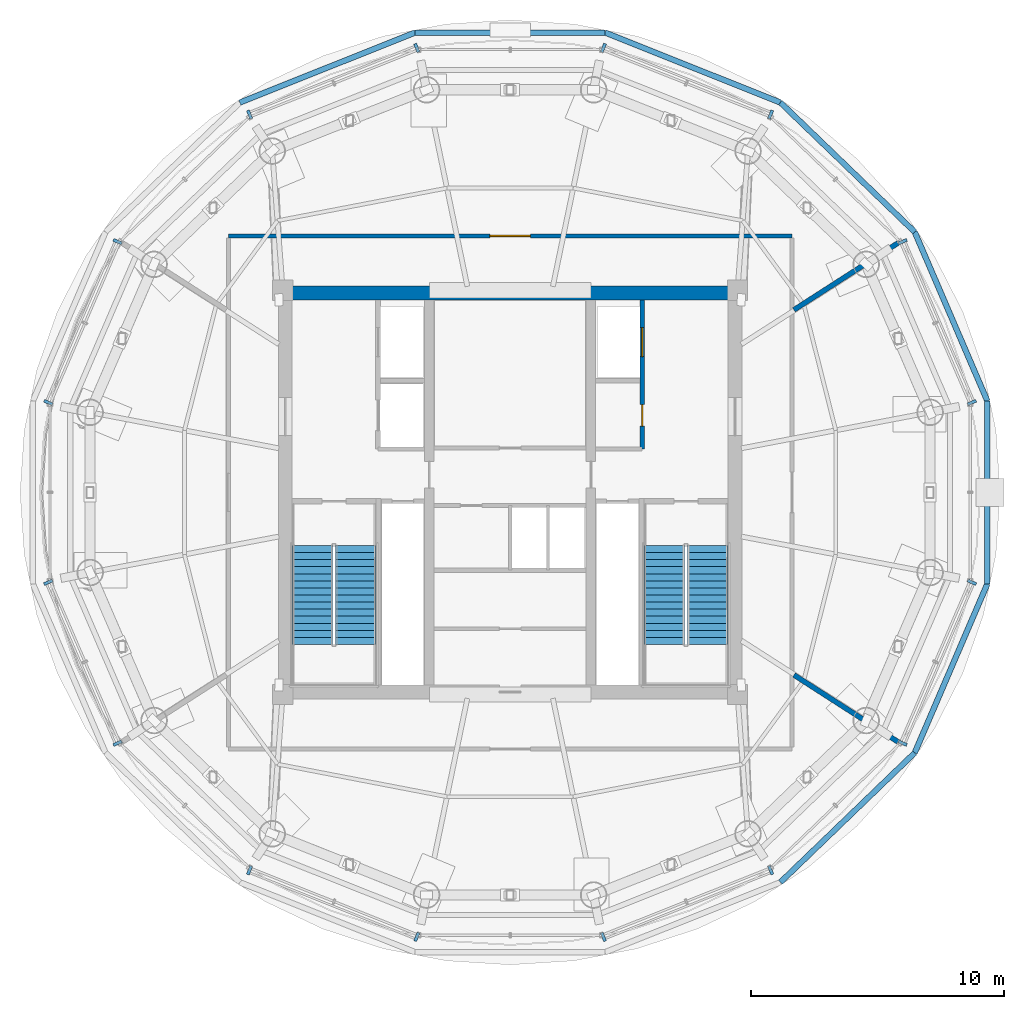
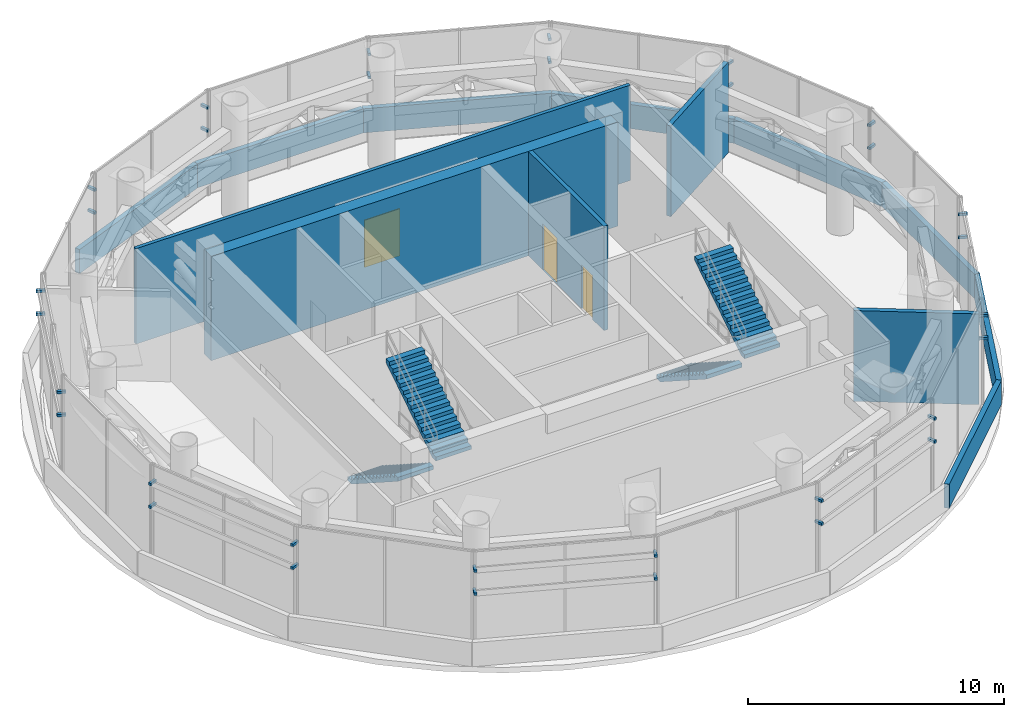
# One storey, part 18 of 21: 32 discrete accessories, 13 walls, 4 stair flights, 3 doors, 3 openings, 2 elements without a shape of their own.
"""IFC4 building model written with IfcOpenShell, lengths in metres."""

from ifc_helpers import new_model, si_unit, direction, frame, frame_2d, origin, origin_2d, place, context, subcontext, project, spatial, polyline, rectangle, outline, extrude, source, transform, mapped, material, layer, layer_set, type_object, element, fill, aggregate, save


model = new_model("IFC4")

# Units and contexts
model_context = context("Model", 3, precision=1e-05, world=origin(), true_north=direction((-0.2419218956, 0.970295726276)))
body_context = subcontext(model_context, "Body", "Model", "MODEL_VIEW")
ifc_project = project(units=[si_unit("LENGTHUNIT", "METRE"), si_unit("AREAUNIT", "SQUARE_METRE"), si_unit("VOLUMEUNIT", "CUBIC_METRE"), si_unit("PLANEANGLEUNIT", "RADIAN"), si_unit("MASSUNIT", "GRAM", prefix="KILO")], contexts=[model_context])

# Site, building, storey
site_placement = place(None, origin())
site = spatial("IfcSite", under=ifc_project, at=site_placement, CompositionType="ELEMENT")
building_placement = place(site_placement, origin())
building = spatial("IfcBuilding", under=site, at=building_placement, Name="Cobrevalo Terracotta Tower", CompositionType="ELEMENT")
storey_placement = place(building_placement, frame((0.0, 0.0, 300.699951171875)))
storey = spatial("IfcBuildingStorey", under=building, at=storey_placement, Name="L79", CompositionType="ELEMENT", Elevation=300.699951171875)

# Wall
ifc_material_1 = material(Name="Concrete C50", Category="concrete")
ifc_layer_1 = layer(ifc_material_1, 0.550048828125)
ifc_layer_set_1 = layer_set([ifc_layer_1], Name="Concrete C50")
wall_type_1 = type_object("IfcWallType", Name="Core shear wall 550 mm Concrete C50", PredefinedType="SHEAR", material=ifc_layer_set_1)
wall_1_placement = place(storey_placement, frame((28.824951171875, 34.699951171875, 0.0), z_axis=(0.0, 0.0, 1.0), x_axis=(1.0, 0.0, 0.0)))
element("IfcWall", 1, at=wall_1_placement, inside=storey, type_object=wall_type_1, Name="L79 north core shear wall", PredefinedType="SHEAR", context=body_context, shape_type="SweptSolid", body=[
    extrude(rectangle(XDim=18.35009765625, YDim=0.550048828125, at=frame_2d((9.175048828125, 0.0))), origin(), (0.0, 0.0, 1.0), 4.97998046875),
])

# Wall, opening, door
ifc_material_2 = material(Name="Gypsum board on steel stud", Category="steel")
ifc_layer_2 = layer(ifc_material_2, 0.159912109375)
ifc_layer_set_2 = layer_set([ifc_layer_2], Name="Gypsum board on steel stud")
wall_type_2 = type_object("IfcWallType", Name="Fire-rated corridor acoustic partition wall 160 mm", PredefinedType="PARTITIONING", material=ifc_layer_set_2)
wall_2_placement = place(storey_placement, frame((26.844970703125, 36.955078125, 0.0), z_axis=(0.0, 0.0, 1.0), x_axis=(1.0, 0.0, 0.0)))
wall_2 = element("IfcWall", 2, at=wall_2_placement, inside=storey, type_object=wall_type_2, Name="L79 interior partition IW-L79-COR-N", PredefinedType="PARTITIONING", context=body_context, shape_type="SweptSolid", body=[
    extrude(rectangle(XDim=22.31005859375, YDim=0.159912109375, at=frame_2d((11.155029296875, 0.0))), origin(), (0.0, 0.0, 1.0), 4.552001953125),
])
opening_1_placement = place(wall_2_placement, frame((10.35498046875, 0.0, 0.0)))
opening_1 = element("IfcOpeningElement", 3, at=opening_1_placement, cuts=wall_2, Name="Opening ID-06", PredefinedType="OPENING", context=body_context, shape_type="SweptSolid", body=[
    extrude(rectangle(XDim=1.60009765625, YDim=2.25, at=frame_2d((0.800048828125, 1.125))), frame((0.0, 0.08984375, 0.0), z_axis=(0.0, -1.0, 0.0), x_axis=(1.0, 0.0, 0.0)), (0.0, 0.0, 1.0), 0.179931640625),
])
ifc_material_3 = material(Name="Galvanized fire-rated steel", Category="steel")
door_type_1 = type_object("IfcDoorType", Name="Plant & mechanical room double fire door 1600x2250 EI 90", OperationType="NOTDEFINED", PredefinedType="DOOR", material=ifc_material_3)
shared_shape_1 = source(origin(), body_context, "Body", "SweptSolid", [
    extrude(rectangle(XDim=1.60009765625, YDim=2.25, at=frame_2d((0.800048828125, 1.125))), frame((0.0, 0.02490234375, 0.0), z_axis=(0.0, -1.0, 0.0), x_axis=(1.0, 0.0, 0.0)), (0.0, 0.0, 1.0), 0.050048828125),
])
door_1_placement = place(opening_1_placement, origin())
door_1 = element("IfcDoor", 4, at=door_1_placement, inside=storey, type_object=door_type_1, Name="L79 Smoke Control and Electrical Plant North door", OperationType="DOUBLE_DOOR_SINGLE_SWING", OverallHeight=2.25, OverallWidth=1.60009765625, PredefinedType="DOOR", context=body_context, shape_type="MappedRepresentation", body=[
    mapped(shared_shape_1, transform((0.0, 0.0, 0.0), scale=1.0)),
])
fill(opening_1, door_1)

# Wall, openings, doors
ifc_layer_3 = layer(ifc_material_2, 0.179931640625)
ifc_layer_set_3 = layer_set([ifc_layer_3], Name="Gypsum board on steel stud")
wall_type_3 = type_object("IfcWallType", Name="Fire-rated shaft & lobby acoustic partition wall 180 mm", PredefinedType="PARTITIONING", material=ifc_layer_set_3)
wall_3_placement = place(storey_placement, frame((43.22998046875, 28.52001953125, 0.0), z_axis=(0.0, 0.0, 1.0), x_axis=(0.0, 1.0, 0.0)))
wall_3 = element("IfcWall", 5, at=wall_3_placement, inside=storey, type_object=wall_type_3, Name="L79 interior partition IW-L79-FF2-E", PredefinedType="PARTITIONING", context=body_context, shape_type="SweptSolid", body=[
    extrude(rectangle(XDim=5.905029296875, YDim=0.179931640625, at=frame_2d((2.95263671875, 0.0))), origin(), (0.0, 0.0, 1.0), 4.97998046875),
])
opening_2_placement = place(wall_3_placement, frame((0.905029296875, 0.0, 0.0)))
opening_2 = element("IfcOpeningElement", 6, at=opening_2_placement, cuts=wall_3, Name="Opening ID-22", PredefinedType="OPENING", context=body_context, shape_type="SweptSolid", body=[
    extrude(rectangle(XDim=0.85009765625, YDim=2.10009765625, at=frame_2d((0.425048828125, 1.050048828125))), frame((0.0, 0.10009765625, 0.0), z_axis=(0.0, -1.0, 0.0), x_axis=(1.0, 0.0, 0.0)), (0.0, 0.0, 1.0), 0.199951171875),
])
opening_3_placement = place(wall_3_placement, frame((3.655029296875, 0.0, 0.0)))
opening_3 = element("IfcOpeningElement", 7, at=opening_3_placement, cuts=wall_3, Name="Opening LD-02", PredefinedType="OPENING", context=body_context, shape_type="SweptSolid", body=[
    extrude(rectangle(XDim=1.14990234375, YDim=2.199951171875, at=frame_2d((0.574951171875, 1.10009765625))), frame((0.0, 0.10009765625, 0.0), z_axis=(0.0, -1.0, 0.0), x_axis=(1.0, 0.0, 0.0)), (0.0, 0.0, 1.0), 0.199951171875),
])
ifc_material_4 = material(Name="Powder-coated steel", Category="steel")
door_type_2 = type_object("IfcDoorType", Name="Riser shaft & meter closet fire access door 850x2100 EI 60", OperationType="NOTDEFINED", PredefinedType="DOOR", material=ifc_material_4)
shared_shape_2 = source(origin(), body_context, "Body", "SweptSolid", [
    extrude(rectangle(XDim=0.85009765625, YDim=2.10009765625, at=frame_2d((0.425048828125, 1.050048828125))), frame((0.0, 0.02490234375, 0.0), z_axis=(0.0, -1.0, 0.0), x_axis=(1.0, 0.0, 0.0)), (0.0, 0.0, 1.0), 0.050048828125),
])
door_2_placement = place(opening_2_placement, frame((0.85009765625, 0.0, 0.0), z_axis=(0.0, 0.0, 1.0), x_axis=(-1.0, 0.0, 0.0)))
door_2 = element("IfcDoor", 8, at=door_2_placement, inside=storey, type_object=door_type_2, Name="L79 housekeeping store door", OperationType="SINGLE_SWING_RIGHT", OverallHeight=2.10009765625, OverallWidth=0.85009765625, PredefinedType="DOOR", context=body_context, shape_type="MappedRepresentation", body=[
    mapped(shared_shape_2, transform((0.0, 0.0, 0.0), scale=1.0)),
])
fill(opening_2, door_2)
ifc_material_5 = material(Name="Brushed stainless steel", Category="steel")
door_type_3 = type_object("IfcDoorType", Name="Firefighting lift landing bi-parting sliding door 1150x2200 EI 120", OperationType="DOUBLE_DOOR_SLIDING", PredefinedType="DOOR", material=ifc_material_5)
shared_shape_3 = source(origin(), body_context, "Body", "SweptSolid", [
    extrude(rectangle(XDim=1.14990234375, YDim=2.199951171875, at=frame_2d((0.574951171875, 1.10009765625))), frame((0.0, 0.02490234375, 0.0), z_axis=(0.0, -1.0, 0.0), x_axis=(1.0, 0.0, 0.0)), (0.0, 0.0, 1.0), 0.050048828125),
])
door_3_placement = place(opening_3_placement, origin())
door_3 = element("IfcDoor", 9, at=door_3_placement, inside=storey, type_object=door_type_3, Name="L79 lift landing door FF-2", OperationType="DOUBLE_DOOR_SLIDING", OverallHeight=2.199951171875, OverallWidth=1.14990234375, PredefinedType="DOOR", context=body_context, shape_type="MappedRepresentation", body=[
    mapped(shared_shape_3, transform((0.0, 0.0, 0.0), scale=1.0)),
])
fill(opening_3, door_3)

# Walls
ifc_material_6 = material(Name="Autoclaved aerated concrete block", Category="concrete")
ifc_layer_4 = layer(ifc_material_6, 0.199951171875)
ifc_layer_set_4 = layer_set([ifc_layer_4], Name="Autoclaved aerated concrete block")
wall_type_4 = type_object("IfcWallType", Name="Fire-rated stair, shaft & demising masonry wall 200 mm", PredefinedType="PARTITIONING", material=ifc_layer_set_4)
wall_4_placement = place(storey_placement, frame((49.236572265625, 19.574462890625, 0.0), z_axis=(0.0, 0.0, 1.0), x_axis=(0.841104126714, -0.540873227314, 0.0)))
element("IfcWall", 10, at=wall_4_placement, inside=storey, type_object=wall_type_4, Name="L79 interior partition IW-L79-PW3", PredefinedType="PARTITIONING", context=body_context, shape_type="SweptSolid", body=[
    extrude(rectangle(XDim=4.908447265625, YDim=0.199951171875, at=frame_2d((2.4541015625, 0.0))), origin(), (0.0, 0.0, 1.0), 4.330078125),
])
wall_5_placement = place(storey_placement, frame((49.236572265625, 34.025634765625, 0.0), z_axis=(0.0, 0.0, 1.0), x_axis=(0.841126754859, 0.540838036995, 0.0)))
element("IfcWall", 11, at=wall_5_placement, inside=storey, type_object=wall_type_4, Name="L79 interior partition IW-L79-PW4", PredefinedType="PARTITIONING", context=body_context, shape_type="SweptSolid", body=[
    extrude(rectangle(XDim=4.908203125, YDim=0.199951171875, at=frame_2d((2.4541015625, 0.0))), origin(), (0.0, 0.0, 1.0), 4.330078125),
])
ifc_material_7 = material(Name="Precast concrete C45", Category="concrete")
ifc_layer_5 = layer(ifc_material_7, 0.219970703125)
ifc_layer_set_5 = layer_set([ifc_layer_5], Name="Precast concrete C45")
wall_type_5 = type_object("IfcWallType", Name="Precast concrete roof and setback terrace parapet wall 220 mm", PredefinedType="PARAPET", material=ifc_layer_set_5)
wall_6_placement = place(storey_placement, frame((56.889892578125, 30.4208984375, 0.0), z_axis=(0.0, 0.0, 1.0), x_axis=(-0.394894199948, 0.918726602884, 0.0)))
element("IfcWall", 12, at=wall_6_placement, inside=storey, type_object=wall_type_5, Name="L79 setback roof concrete parapet 01", PredefinedType="PARAPET", context=body_context, shape_type="SweptSolid", body=[
    extrude(rectangle(XDim=7.2822265625, YDim=0.219970703125, at=frame_2d((3.64111328125, 0.0))), origin(), (0.0, 0.0, 1.0), 1.150146484375),
])
wall_7_placement = place(storey_placement, frame((54.01416015625, 37.111328125, 0.0), z_axis=(0.0, 0.0, 1.0), x_axis=(-0.720069776959, 0.693901661845, 0.0)))
element("IfcWall", 13, at=wall_7_placement, inside=storey, type_object=wall_type_5, Name="L79 setback roof concrete parapet 02", PredefinedType="PARAPET", context=body_context, shape_type="SweptSolid", body=[
    extrude(rectangle(XDim=7.3798828125, YDim=0.219970703125, at=frame_2d((3.68994140625, 0.0))), origin(), (0.0, 0.0, 1.0), 1.150146484375),
])
wall_8_placement = place(storey_placement, frame((48.7001953125, 42.232177734375, 0.0), z_axis=(0.0, 0.0, 1.0), x_axis=(-0.928748972375, 0.370709247677, 0.0)))
element("IfcWall", 14, at=wall_8_placement, inside=storey, type_object=wall_type_5, Name="L79 setback roof concrete parapet 03", PredefinedType="PARAPET", context=body_context, shape_type="SweptSolid", body=[
    extrude(rectangle(XDim=7.4755859375, YDim=0.219970703125, at=frame_2d((3.73779296875, 0.0))), origin(), (0.0, 0.0, 1.0), 1.150146484375),
])
wall_9_placement = place(storey_placement, frame((41.75732421875, 45.00341796875, 0.0), z_axis=(0.0, 0.0, 1.0), x_axis=(-1.0, 0.0, 0.0)))
element("IfcWall", 15, at=wall_9_placement, inside=storey, type_object=wall_type_5, Name="L79 setback roof concrete parapet 04", PredefinedType="PARAPET", context=body_context, shape_type="SweptSolid", body=[
    extrude(rectangle(XDim=7.5146484375, YDim=0.219970703125, at=frame_2d((3.75732421875, 0.0))), origin(), (0.0, 0.0, 1.0), 1.150146484375),
])
wall_10_placement = place(storey_placement, frame((34.24267578125, 45.00341796875, 0.0), z_axis=(0.0, 0.0, 1.0), x_axis=(-0.928748972375, -0.370709247677, 0.0)))
element("IfcWall", 16, at=wall_10_placement, inside=storey, type_object=wall_type_5, Name="L79 setback roof concrete parapet 05", PredefinedType="PARAPET", context=body_context, shape_type="SweptSolid", body=[
    extrude(rectangle(XDim=7.4755859375, YDim=0.219970703125, at=frame_2d((3.73779296875, 0.0))), origin(), (0.0, 0.0, 1.0), 1.150146484375),
])
wall_11_placement = place(storey_placement, frame((48.7001953125, 11.367919921875, 0.0), z_axis=(0.0, 0.0, 1.0), x_axis=(0.720086306967, 0.693884508055, 0.0)))
element("IfcWall", 17, at=wall_11_placement, inside=storey, type_object=wall_type_5, Name="L79 setback roof concrete parapet 14", PredefinedType="PARAPET", context=body_context, shape_type="SweptSolid", body=[
    extrude(rectangle(XDim=7.379638671875, YDim=0.219970703125, at=frame_2d((3.68994140625, 0.0))), origin(), (0.0, 0.0, 1.0), 1.150146484375),
])
wall_12_placement = place(storey_placement, frame((54.01416015625, 16.488525390625, 0.0), z_axis=(0.0, 0.0, 1.0), x_axis=(0.394882037325, 0.918731830622, 0.0)))
element("IfcWall", 18, at=wall_12_placement, inside=storey, type_object=wall_type_5, Name="L79 setback roof concrete parapet 15", PredefinedType="PARAPET", context=body_context, shape_type="SweptSolid", body=[
    extrude(rectangle(XDim=7.282470703125, YDim=0.219970703125, at=frame_2d((3.64111328125, 0.0))), origin(), (0.0, 0.0, 1.0), 1.150146484375),
])
wall_13_placement = place(storey_placement, frame((56.889892578125, 23.17919921875, 0.0), z_axis=(0.0, 0.0, 1.0), x_axis=(0.0, 1.0, 0.0)))
element("IfcWall", 19, at=wall_13_placement, inside=storey, type_object=wall_type_5, Name="L79 setback roof concrete parapet 16", PredefinedType="PARAPET", context=body_context, shape_type="SweptSolid", body=[
    extrude(rectangle(XDim=7.24169921875, YDim=0.219970703125, at=frame_2d((3.620849609375, 0.0))), origin(), (0.0, 0.0, 1.0), 1.150146484375),
])

# Stair, stair flights
stair_type = type_object("IfcStairType", Name="Core protected escape dogleg stair 1600", PredefinedType="HALF_TURN_STAIR", material=ifc_material_1)
stair_1_placement = place(storey_placement, origin())
stair_1 = element("IfcStair", 20, at=stair_1_placement, inside=storey, type_object=stair_type, Name="L79 Protected exit stair ST-1", PredefinedType="HALF_TURN_STAIR")
stair_flight_type = type_object("IfcStairFlightType", Name="Core protected escape dogleg stair 1600 flight", PredefinedType="STRAIGHT", material=ifc_material_1)
stair_flight_1_placement = place(storey_placement, frame((30.175048828125, 24.699951171875, 0.0), z_axis=(0.0, 0.0, 1.0), x_axis=(0.0, -1.0, 0.0)))
stair_flight_1 = element("IfcStairFlight", 21, at=stair_flight_1_placement, type_object=stair_flight_type, Name="ST-1 flight 1", NumberOfRisers=15, NumberOfTreads=14, PredefinedType="STRAIGHT", RiserHeight=0.18, TreadLength=0.28, context=body_context, shape_type="SweptSolid", body=[
    extrude(outline(polyline([(0.0, 0.0), (0.0, 0.179931640625), (0.280029296875, 0.179931640625), (0.280029296875, 0.360107421875), (0.56005859375, 0.360107421875), (0.56005859375, 0.5400390625), (0.840087890625, 0.5400390625), (0.840087890625, 0.719970703125), (1.1201171875, 0.719970703125), (1.1201171875, 0.89990234375), (1.39990234375, 0.89990234375), (1.39990234375, 1.080078125), (1.679931640625, 1.080078125), (1.679931640625, 1.260009765625), (1.9599609375, 1.260009765625), (1.9599609375, 1.43994140625), (2.239990234375, 1.43994140625), (2.239990234375, 1.6201171875), (2.52001953125, 1.6201171875), (2.52001953125, 1.800048828125), (2.800048828125, 1.800048828125), (2.800048828125, 1.97998046875), (3.080078125, 1.97998046875), (3.080078125, 2.159912109375), (3.360107421875, 2.159912109375), (3.360107421875, 2.340087890625), (3.639892578125, 2.340087890625), (3.639892578125, 2.52001953125), (3.919921875, 2.52001953125), (3.919921875, 2.699951171875), (3.919921875, 2.329833984375), (0.295654296875, 0.0), (0.0, 0.0)])), frame((0.0, 0.800048828125, 0.0), z_axis=(0.0, -1.0, 0.0), x_axis=(1.0, 0.0, 0.0)), (0.0, 0.0, 1.0), 1.60009765625),
])
stair_flight_2_placement = place(storey_placement, frame((31.89501953125, 20.780029296875, 2.699951171875), z_axis=(0.0, 0.0, 1.0), x_axis=(0.0, 1.0, 0.0)))
stair_flight_2 = element("IfcStairFlight", 22, at=stair_flight_2_placement, type_object=stair_flight_type, Name="ST-1 flight 2", NumberOfRisers=15, NumberOfTreads=14, PredefinedType="STRAIGHT", RiserHeight=0.18, TreadLength=0.28, context=body_context, shape_type="SweptSolid", body=[
    extrude(outline(polyline([(0.0, 0.0), (0.0, 0.179931640625), (0.280029296875, 0.179931640625), (0.280029296875, 0.360107421875), (0.56005859375, 0.360107421875), (0.56005859375, 0.5400390625), (0.840087890625, 0.5400390625), (0.840087890625, 0.719970703125), (1.1201171875, 0.719970703125), (1.1201171875, 0.89990234375), (1.39990234375, 0.89990234375), (1.39990234375, 1.080078125), (1.679931640625, 1.080078125), (1.679931640625, 1.260009765625), (1.9599609375, 1.260009765625), (1.9599609375, 1.43994140625), (2.239990234375, 1.43994140625), (2.239990234375, 1.6201171875), (2.52001953125, 1.6201171875), (2.52001953125, 1.800048828125), (2.800048828125, 1.800048828125), (2.800048828125, 1.97998046875), (3.080078125, 1.97998046875), (3.080078125, 2.159912109375), (3.360107421875, 2.159912109375), (3.360107421875, 2.340087890625), (3.639892578125, 2.340087890625), (3.639892578125, 2.52001953125), (3.919921875, 2.52001953125), (3.919921875, 2.699951171875), (3.919921875, 2.329833984375), (0.295654296875, 0.0), (0.0, 0.0)])), frame((0.0, 0.800048828125, 0.0), z_axis=(0.0, -1.0, 0.0), x_axis=(1.0, 0.0, 0.0)), (0.0, 0.0, 1.0), 1.60009765625),
])
aggregate(stair_1, [stair_flight_1, stair_flight_2])

stair_2_placement = place(storey_placement, origin())
stair_2 = element("IfcStair", 23, at=stair_2_placement, inside=storey, type_object=stair_type, Name="L79 Protected exit stair ST-2", PredefinedType="HALF_TURN_STAIR")
stair_flight_3_placement = place(storey_placement, frame((44.10498046875, 24.699951171875, 0.0), z_axis=(0.0, 0.0, 1.0), x_axis=(0.0, -1.0, 0.0)))
stair_flight_3 = element("IfcStairFlight", 24, at=stair_flight_3_placement, type_object=stair_flight_type, Name="ST-2 flight 1", NumberOfRisers=15, NumberOfTreads=14, PredefinedType="STRAIGHT", RiserHeight=0.18, TreadLength=0.28, context=body_context, shape_type="SweptSolid", body=[
    extrude(outline(polyline([(0.0, 0.0), (0.0, 0.179931640625), (0.280029296875, 0.179931640625), (0.280029296875, 0.360107421875), (0.56005859375, 0.360107421875), (0.56005859375, 0.5400390625), (0.840087890625, 0.5400390625), (0.840087890625, 0.719970703125), (1.1201171875, 0.719970703125), (1.1201171875, 0.89990234375), (1.39990234375, 0.89990234375), (1.39990234375, 1.080078125), (1.679931640625, 1.080078125), (1.679931640625, 1.260009765625), (1.9599609375, 1.260009765625), (1.9599609375, 1.43994140625), (2.239990234375, 1.43994140625), (2.239990234375, 1.6201171875), (2.52001953125, 1.6201171875), (2.52001953125, 1.800048828125), (2.800048828125, 1.800048828125), (2.800048828125, 1.97998046875), (3.080078125, 1.97998046875), (3.080078125, 2.159912109375), (3.360107421875, 2.159912109375), (3.360107421875, 2.340087890625), (3.639892578125, 2.340087890625), (3.639892578125, 2.52001953125), (3.919921875, 2.52001953125), (3.919921875, 2.699951171875), (3.919921875, 2.329833984375), (0.295654296875, 0.0), (0.0, 0.0)])), frame((0.0, 0.800048828125, 0.0), z_axis=(0.0, -1.0, 0.0), x_axis=(1.0, 0.0, 0.0)), (0.0, 0.0, 1.0), 1.60009765625),
])
stair_flight_4_placement = place(storey_placement, frame((45.824951171875, 20.780029296875, 2.699951171875), z_axis=(0.0, 0.0, 1.0), x_axis=(0.0, 1.0, 0.0)))
stair_flight_4 = element("IfcStairFlight", 25, at=stair_flight_4_placement, type_object=stair_flight_type, Name="ST-2 flight 2", NumberOfRisers=15, NumberOfTreads=14, PredefinedType="STRAIGHT", RiserHeight=0.18, TreadLength=0.28, context=body_context, shape_type="SweptSolid", body=[
    extrude(outline(polyline([(0.0, 0.0), (0.0, 0.179931640625), (0.280029296875, 0.179931640625), (0.280029296875, 0.360107421875), (0.56005859375, 0.360107421875), (0.56005859375, 0.5400390625), (0.840087890625, 0.5400390625), (0.840087890625, 0.719970703125), (1.1201171875, 0.719970703125), (1.1201171875, 0.89990234375), (1.39990234375, 0.89990234375), (1.39990234375, 1.080078125), (1.679931640625, 1.080078125), (1.679931640625, 1.260009765625), (1.9599609375, 1.260009765625), (1.9599609375, 1.43994140625), (2.239990234375, 1.43994140625), (2.239990234375, 1.6201171875), (2.52001953125, 1.6201171875), (2.52001953125, 1.800048828125), (2.800048828125, 1.800048828125), (2.800048828125, 1.97998046875), (3.080078125, 1.97998046875), (3.080078125, 2.159912109375), (3.360107421875, 2.159912109375), (3.360107421875, 2.340087890625), (3.639892578125, 2.340087890625), (3.639892578125, 2.52001953125), (3.919921875, 2.52001953125), (3.919921875, 2.699951171875), (3.919921875, 2.329833984375), (0.295654296875, 0.0), (0.0, 0.0)])), frame((0.0, 0.800048828125, 0.0), z_axis=(0.0, -1.0, 0.0), x_axis=(1.0, 0.0, 0.0)), (0.0, 0.0, 1.0), 1.60009765625),
])
aggregate(stair_2, [stair_flight_3, stair_flight_4])

# Discrete accessories
ifc_layer_6 = layer(ifc_material_5, 0.1201171875)
ifc_layer_set_6 = layer_set([ifc_layer_6], Name="Brushed stainless steel")
discrete_accessory_type = type_object("IfcDiscreteAccessoryType", Name="Stainless Steel Facade & Canopy Support Bracket", PredefinedType="BRACKET", material=ifc_layer_set_6)
shared_shape_4 = source(origin(), body_context, "Body", "SweptSolid", [
    extrude(rectangle(XDim=0.1201171875, YDim=0.360107421875, at=origin_2d()), origin(), (0.0, 0.0, 1.0), 0.1201171875),
])
for number, where, z_axis, x_axis, name in (
    (26, (56.280029296875, 30.358642578125, 3.027587890625), (0.0, 0.0, 1.0), (-0.395367563103, 0.918522993749, 0.0), "CW-LV-L79-S01 stainless baguette support bracket 1-A"),
    (27, (53.538818359375, 36.726806640625, 3.027587890625), (0.0, 0.0, 1.0), (-0.395367563103, 0.918522993749, 0.0), "CW-LV-L79-S01 stainless baguette support bracket 1-B"),
    (28, (56.280029296875, 30.358642578125, 4.123291015625), (0.0, 0.0, 1.0), (-0.395367563103, 0.918522993749, 0.0), "CW-LV-L79-S01 stainless baguette support bracket 2-A"),
    (29, (53.538818359375, 36.726806640625, 4.123291015625), (0.0, 0.0, 1.0), (-0.395367563103, 0.918522993749, 0.0), "CW-LV-L79-S01 stainless baguette support bracket 2-B"),
    (30, (48.31298828125, 41.7568359375, 3.027587890625), (0.0, 0.0, 1.0), (-0.928924628611, 0.370268867662, 0.0), "CW-LV-L79-S03 stainless baguette support bracket 1-A"),
    (31, (41.693359375, 44.3955078125, 3.027587890625), (0.0, 0.0, 1.0), (-0.928924628611, 0.370268867662, 0.0), "CW-LV-L79-S03 stainless baguette support bracket 1-B"),
    (32, (48.31298828125, 41.7568359375, 4.123291015625), (0.0, 0.0, 1.0), (-0.928924628611, 0.370268867662, 0.0), "CW-LV-L79-S03 stainless baguette support bracket 2-A"),
    (33, (41.693359375, 44.3955078125, 4.123291015625), (0.0, 0.0, 1.0), (-0.928924628611, 0.370268867662, 0.0), "CW-LV-L79-S03 stainless baguette support bracket 2-B"),
    (34, (34.306640625, 44.3955078125, 3.027587890625), (0.0, 0.0, 1.0), (-0.928924628611, -0.370268867662, 0.0), "CW-LV-L79-S05 stainless baguette support bracket 1-A"),
    (35, (27.68701171875, 41.7568359375, 3.027587890625), (0.0, 0.0, 1.0), (-0.928924628611, -0.370268867662, 0.0), "CW-LV-L79-S05 stainless baguette support bracket 1-B"),
    (36, (34.306640625, 44.3955078125, 4.123291015625), (0.0, 0.0, 1.0), (-0.928924628611, -0.370268867662, 0.0), "CW-LV-L79-S05 stainless baguette support bracket 2-A"),
    (37, (27.68701171875, 41.7568359375, 4.123291015625), (0.0, 0.0, 1.0), (-0.928924628611, -0.370268867662, 0.0), "CW-LV-L79-S05 stainless baguette support bracket 2-B"),
    (38, (22.461181640625, 36.726806640625, 3.027587890625), (0.0, 0.0, 1.0), (-0.395367563103, -0.918522993749, 0.0), "CW-LV-L79-S07 stainless baguette support bracket 1-A"),
    (39, (19.719970703125, 30.358642578125, 3.027587890625), (0.0, 0.0, 1.0), (-0.395367563103, -0.918522993749, 0.0), "CW-LV-L79-S07 stainless baguette support bracket 1-B"),
    (40, (22.461181640625, 36.726806640625, 4.123291015625), (0.0, 0.0, 1.0), (-0.395367563103, -0.918522993749, 0.0), "CW-LV-L79-S07 stainless baguette support bracket 2-A"),
    (41, (19.719970703125, 30.358642578125, 4.123291015625), (0.0, 0.0, 1.0), (-0.395367563103, -0.918522993749, 0.0), "CW-LV-L79-S07 stainless baguette support bracket 2-B"),
    (42, (19.719970703125, 23.241455078125, 3.027587890625), (0.0, 0.0, 1.0), (0.395367563103, -0.918522993749, 0.0), "CW-LV-L79-S09 stainless baguette support bracket 1-A"),
    (43, (22.461181640625, 16.873046875, 3.027587890625), (0.0, 0.0, 1.0), (0.395367563103, -0.918522993749, 0.0), "CW-LV-L79-S09 stainless baguette support bracket 1-B"),
    (44, (19.719970703125, 23.241455078125, 4.123291015625), (0.0, 0.0, 1.0), (0.395367563103, -0.918522993749, 0.0), "CW-LV-L79-S09 stainless baguette support bracket 2-A"),
    (45, (22.461181640625, 16.873046875, 4.123291015625), (0.0, 0.0, 1.0), (0.395367563103, -0.918522993749, 0.0), "CW-LV-L79-S09 stainless baguette support bracket 2-B"),
    (46, (27.68701171875, 11.84326171875, 3.027587890625), (0.0, 0.0, 1.0), (0.928924628611, -0.370268867662, 0.0), "CW-LV-L79-S11 stainless baguette support bracket 1-A"),
    (47, (34.306640625, 9.20458984375, 3.027587890625), (0.0, 0.0, 1.0), (0.928924628611, -0.370268867662, 0.0), "CW-LV-L79-S11 stainless baguette support bracket 1-B"),
    (48, (27.68701171875, 11.84326171875, 4.123291015625), (0.0, 0.0, 1.0), (0.928924628611, -0.370268867662, 0.0), "CW-LV-L79-S11 stainless baguette support bracket 2-A"),
    (49, (34.306640625, 9.20458984375, 4.123291015625), (0.0, 0.0, 1.0), (0.928924628611, -0.370268867662, 0.0), "CW-LV-L79-S11 stainless baguette support bracket 2-B"),
    (50, (41.693359375, 9.20458984375, 3.027587890625), (0.0, 0.0, 1.0), (0.928924628611, 0.370268867662, 0.0), "CW-LV-L79-S13 stainless baguette support bracket 1-A"),
    (51, (48.31298828125, 11.84326171875, 3.027587890625), (0.0, 0.0, 1.0), (0.928924628611, 0.370268867662, 0.0), "CW-LV-L79-S13 stainless baguette support bracket 1-B"),
    (52, (41.693359375, 9.20458984375, 4.123291015625), (0.0, 0.0, 1.0), (0.928924628611, 0.370268867662, 0.0), "CW-LV-L79-S13 stainless baguette support bracket 2-A"),
    (53, (48.31298828125, 11.84326171875, 4.123291015625), (0.0, 0.0, 1.0), (0.928924628611, 0.370268867662, 0.0), "CW-LV-L79-S13 stainless baguette support bracket 2-B"),
    (54, (53.538818359375, 16.873046875, 3.027587890625), (0.0, 0.0, 1.0), (0.395367563103, 0.918522993749, 0.0), "CW-LV-L79-S15 stainless baguette support bracket 1-A"),
    (55, (56.280029296875, 23.241455078125, 3.027587890625), (0.0, 0.0, 1.0), (0.395367563103, 0.918522993749, 0.0), "CW-LV-L79-S15 stainless baguette support bracket 1-B"),
    (56, (53.538818359375, 16.873046875, 4.123291015625), (0.0, 0.0, 1.0), (0.395367563103, 0.918522993749, 0.0), "CW-LV-L79-S15 stainless baguette support bracket 2-A"),
    (57, (56.280029296875, 23.241455078125, 4.123291015625), (0.0, 0.0, 1.0), (0.395367563103, 0.918522993749, 0.0), "CW-LV-L79-S15 stainless baguette support bracket 2-B"),
):
    element("IfcDiscreteAccessory", number, at=place(storey_placement, frame(where, z_axis=z_axis, x_axis=x_axis)), inside=storey, type_object=discrete_accessory_type, Name=name, PredefinedType="BRACKET", context=body_context, shape_type="MappedRepresentation", body=[
        mapped(shared_shape_4, transform((0.0, 0.0, 0.0), scale=1.0)),
    ])

save(model, "model.ifc")
